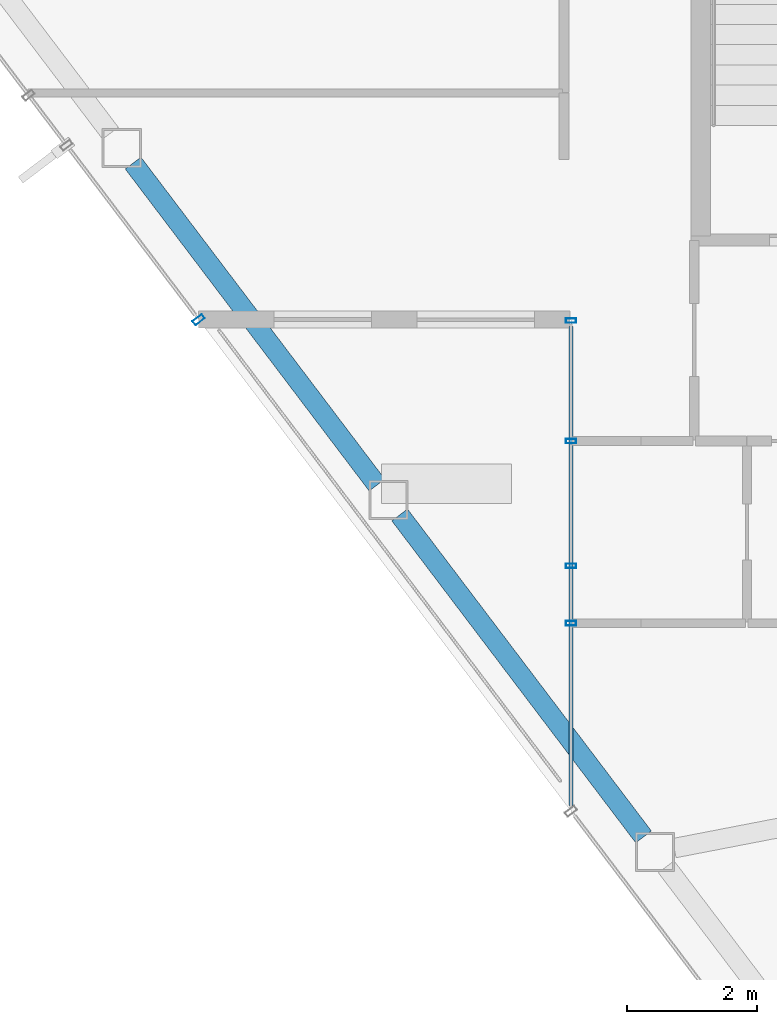
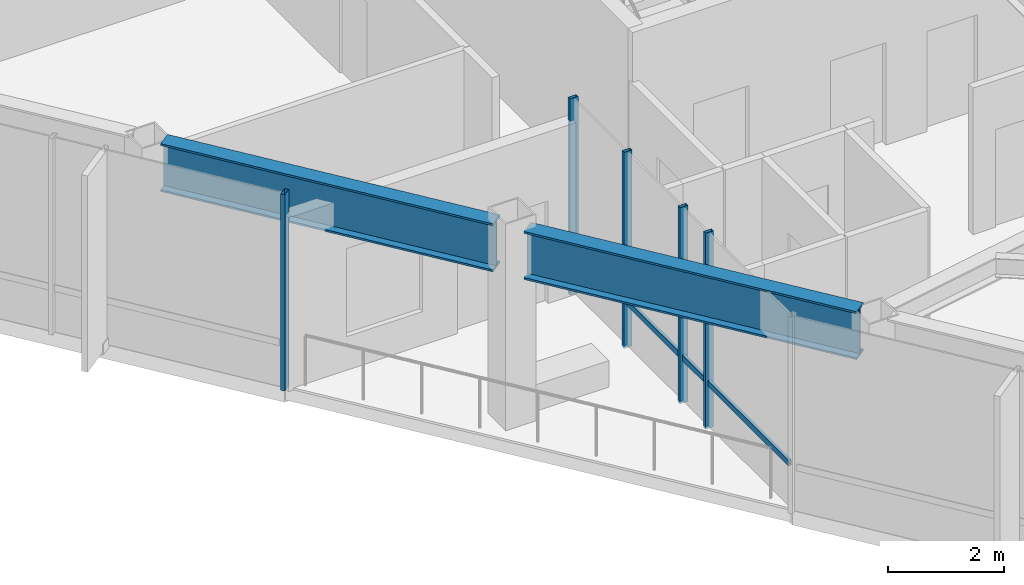
# One storey, part 3 of 23: 6 members, 2 beams, 2 elements without a shape of their own.
"""IFC4 building model written with IfcOpenShell, lengths in metres."""

from ifc_helpers import new_model, si_unit, direction, frame, origin, origin_2d, place, context, subcontext, project, spatial, hollow_rectangle, i_section, extrude, material, layer, layer_set, material_profile, profile_set, type_object, element, aggregate, save


model = new_model("IFC4")

# Units and contexts
model_context = context("Model", 3, precision=1e-05, world=origin(), true_north=direction((0.0, 1.0)))
body_context = subcontext(model_context, "Body", "Model", "MODEL_VIEW")
ifc_project = project(units=[si_unit("LENGTHUNIT", "METRE"), si_unit("AREAUNIT", "SQUARE_METRE"), si_unit("VOLUMEUNIT", "CUBIC_METRE"), si_unit("PLANEANGLEUNIT", "RADIAN"), si_unit("MASSUNIT", "GRAM", prefix="KILO")], contexts=[model_context])

# Site, building, storey
site_placement = place(None, origin())
site = spatial("IfcSite", under=ifc_project, at=site_placement, CompositionType="ELEMENT")
building_placement = place(site_placement, origin())
building = spatial("IfcBuilding", under=site, at=building_placement, Name="Zarrinselat Tower", CompositionType="ELEMENT")
storey_placement = place(building_placement, frame((0.0, 0.0, 199.919921875)))
storey = spatial("IfcBuildingStorey", under=building, at=storey_placement, Name="L49", CompositionType="ELEMENT", Elevation=199.919921875)

# Beams
ifc_material_1 = material(Name="Steel S460M", Category="steel")
ifc_material_profile_1 = material_profile(ifc_material_1, i_section(OverallWidth=0.302001953125, OverallDepth=1.008056640625, WebThickness=0.02099609375, FlangeThickness=0.0400390625, at=origin_2d()), Name="HEM 1000")
ifc_profile_set_1 = profile_set([ifc_material_profile_1], Name="Steel S460M")
beam_type = type_object("IfcBeamType", Name="BM-HEM1000", PredefinedType="BEAM", material=ifc_profile_set_1)
beam_1_placement = place(storey_placement, frame((19.927978515625, 34.42138671875, 3.615966796875), z_axis=(0.60390085115, -0.797059446955, 0.0), x_axis=(0.797059446955, 0.60390085115, 0.0)))
element("IfcBeam", 1, at=beam_1_placement, inside=storey, type_object=beam_type, Name="L49 Perimeter Spandrel Girder SP07", PredefinedType="BEAM", context=body_context, shape_type="SweptSolid", body=[
    extrude(i_section(OverallWidth=0.302001953125, OverallDepth=1.008056640625, WebThickness=0.02099609375, FlangeThickness=0.0400390625, at=origin_2d()), origin(), (0.0, 0.0, 1.0), 6.207275390625),
])
beam_2_placement = place(storey_placement, frame((24.024169921875, 29.0146484375, 3.615966796875), z_axis=(0.603875862603, -0.797078379186, 0.0), x_axis=(0.797078379186, 0.603875862603, 0.0)))
element("IfcBeam", 2, at=beam_2_placement, inside=storey, type_object=beam_type, Name="L49 Perimeter Spandrel Girder SP08", PredefinedType="BEAM", context=body_context, shape_type="SweptSolid", body=[
    extrude(i_section(OverallWidth=0.302001953125, OverallDepth=1.008056640625, WebThickness=0.02099609375, FlangeThickness=0.0400390625, at=origin_2d()), origin(), (0.0, 0.0, 1.0), 6.20703125),
])

# Curtain wall, member
ifc_material_2 = material(Name="Extruded Aluminium Alloy EN AW-6063 T6", Category="aluminium")
ifc_layer_1 = layer(ifc_material_2, 0.195068359375)
ifc_layer_set_1 = layer_set([ifc_layer_1], Name="Extruded Aluminium Alloy EN AW-6063 T6")
curtain_wall_type_1 = type_object("IfcCurtainWallType", Name="CWS-GDN", PredefinedType="NOTDEFINED", material=ifc_layer_set_1)
curtain_wall_1_placement = place(storey_placement, origin())
curtain_wall_1 = element("IfcCurtainWall", 3, at=curtain_wall_1_placement, inside=storey, type_object=curtain_wall_type_1, Name="L49 Unitised Curtain Wall CW-L49-E25", PredefinedType="NOTDEFINED")
ifc_material_3 = material(Name="Extruded Aluminium Alloy EN AW-6063 T6", Category="aluminium")
ifc_material_profile_2 = material_profile(ifc_material_3, hollow_rectangle(XDim=0.080078125, YDim=0.179931640625, WallThickness=0.0048828125, at=origin_2d()), Name="RHS 180x80x5")
ifc_profile_set_2 = profile_set([ifc_material_profile_2], Name="Extruded Aluminium Alloy EN AW-6063 T6")
member_type_1 = type_object("IfcMemberType", Name="MEM-CW-MUL", PredefinedType="MULLION", material=ifc_profile_set_2)
member_1_placement = place(storey_placement, frame((20.935791015625, 32.014892578125, 0.0), z_axis=(0.0, 0.0, 1.0), x_axis=(-0.603858445775, 0.797091574078, 0.0)))
member_1 = element("IfcMember", 4, at=member_1_placement, type_object=member_type_1, Name="CW-L49-E25 Mullion 0", PredefinedType="MULLION", context=body_context, shape_type="SweptSolid", body=[
    extrude(hollow_rectangle(XDim=0.080078125, YDim=0.179931640625, WallThickness=0.0048828125, at=origin_2d()), origin(), (0.0, 0.0, 1.0), 4.1201171875),
])
aggregate(curtain_wall_1, [member_1])

# Curtain wall, members
ifc_material_4 = material(Name="Extruded Aluminium Alloy EN AW-6063 T6", Category="aluminium")
ifc_layer_2 = layer(ifc_material_4, 0.18994140625)
ifc_layer_set_2 = layer_set([ifc_layer_2], Name="Extruded Aluminium Alloy EN AW-6063 T6")
curtain_wall_type_2 = type_object("IfcCurtainWallType", Name="CWS-SG", PredefinedType="NOTDEFINED", material=ifc_layer_set_2)
curtain_wall_2_placement = place(storey_placement, origin())
curtain_wall_2 = element("IfcCurtainWall", 5, at=curtain_wall_2_placement, inside=storey, type_object=curtain_wall_type_2, Name="L49 Unitised Curtain Wall CW-L49-E07", PredefinedType="NOTDEFINED")
ifc_material_5 = material(Name="Extruded Aluminium Alloy EN AW-6063 T6", Category="aluminium")
ifc_material_profile_3 = material_profile(ifc_material_5, hollow_rectangle(XDim=0.070068359375, YDim=0.159912109375, WallThickness=0.00390625, at=origin_2d()), Name="RHS 160x70x4")
ifc_profile_set_3 = profile_set([ifc_material_profile_3], Name="Extruded Aluminium Alloy EN AW-6063 T6")
member_type_2 = type_object("IfcMemberType", Name="MEM-CW-MUL2", PredefinedType="MULLION", material=ifc_profile_set_3)
member_2_placement = place(storey_placement, frame((26.65771484375, 27.35009765625, 0.0), z_axis=(0.0, 0.0, 1.0), x_axis=(0.0, 1.0, 0.0)))
member_2 = element("IfcMember", 6, at=member_2_placement, type_object=member_type_2, Name="CW-L49-E07 Mullion 1", PredefinedType="MULLION", context=body_context, shape_type="SweptSolid", body=[
    extrude(hollow_rectangle(XDim=0.070068359375, YDim=0.159912109375, WallThickness=0.00390625, at=origin_2d()), origin(), (0.0, 0.0, 1.0), 4.1201171875),
])
member_3_placement = place(storey_placement, frame((26.65771484375, 28.231201171875, 0.0), z_axis=(0.0, 0.0, 1.0), x_axis=(0.0, 1.0, 0.0)))
member_3 = element("IfcMember", 7, at=member_3_placement, type_object=member_type_2, Name="CW-L49-E07 Mullion 2", PredefinedType="MULLION", context=body_context, shape_type="SweptSolid", body=[
    extrude(hollow_rectangle(XDim=0.070068359375, YDim=0.159912109375, WallThickness=0.00390625, at=origin_2d()), origin(), (0.0, 0.0, 1.0), 4.1201171875),
])
member_4_placement = place(storey_placement, frame((26.65771484375, 30.14990234375, 0.0), z_axis=(0.0, 0.0, 1.0), x_axis=(0.0, 1.0, 0.0)))
member_4 = element("IfcMember", 8, at=member_4_placement, type_object=member_type_2, Name="CW-L49-E07 Mullion 3", PredefinedType="MULLION", context=body_context, shape_type="SweptSolid", body=[
    extrude(hollow_rectangle(XDim=0.070068359375, YDim=0.159912109375, WallThickness=0.00390625, at=origin_2d()), origin(), (0.0, 0.0, 1.0), 4.1201171875),
])
member_5_placement = place(storey_placement, frame((26.65771484375, 32.0, 0.0), z_axis=(0.0, 0.0, 1.0), x_axis=(0.0, 1.0, 0.0)))
member_5 = element("IfcMember", 9, at=member_5_placement, type_object=member_type_2, Name="CW-L49-E07 Mullion 4", PredefinedType="MULLION", context=body_context, shape_type="SweptSolid", body=[
    extrude(hollow_rectangle(XDim=0.070068359375, YDim=0.159912109375, WallThickness=0.00390625, at=origin_2d()), origin(), (0.0, 0.0, 1.0), 4.1201171875),
])
ifc_material_6 = material(Name="Extruded Aluminium Alloy EN AW-6063 T6", Category="aluminium")
ifc_material_profile_4 = material_profile(ifc_material_6, hollow_rectangle(XDim=0.06005859375, YDim=0.1201171875, WallThickness=0.00390625, at=origin_2d()), Name="RHS 120x60x4")
ifc_profile_set_4 = profile_set([ifc_material_profile_4], Name="Extruded Aluminium Alloy EN AW-6063 T6")
member_type_3 = type_object("IfcMemberType", Name="MEM-CW-TRN2", PredefinedType="USERDEFINED", material=ifc_profile_set_4)
member_6_placement = place(storey_placement, frame((26.65771484375, 24.552001953125, 0.9501953125), z_axis=(0.0, 1.0, 0.0), x_axis=(-1.0, 0.0, 0.0)))
member_6 = element("IfcMember", 10, at=member_6_placement, type_object=member_type_3, Name="CW-L49-E07 Transom 1", ObjectType="TRANSOM", PredefinedType="USERDEFINED", context=body_context, shape_type="SweptSolid", body=[
    extrude(hollow_rectangle(XDim=0.06005859375, YDim=0.1201171875, WallThickness=0.00390625, at=origin_2d()), origin(), (0.0, 0.0, 1.0), 7.35791015625),
])
aggregate(curtain_wall_2, [member_2, member_3, member_4, member_5, member_6])

save(model, "model.ifc")
